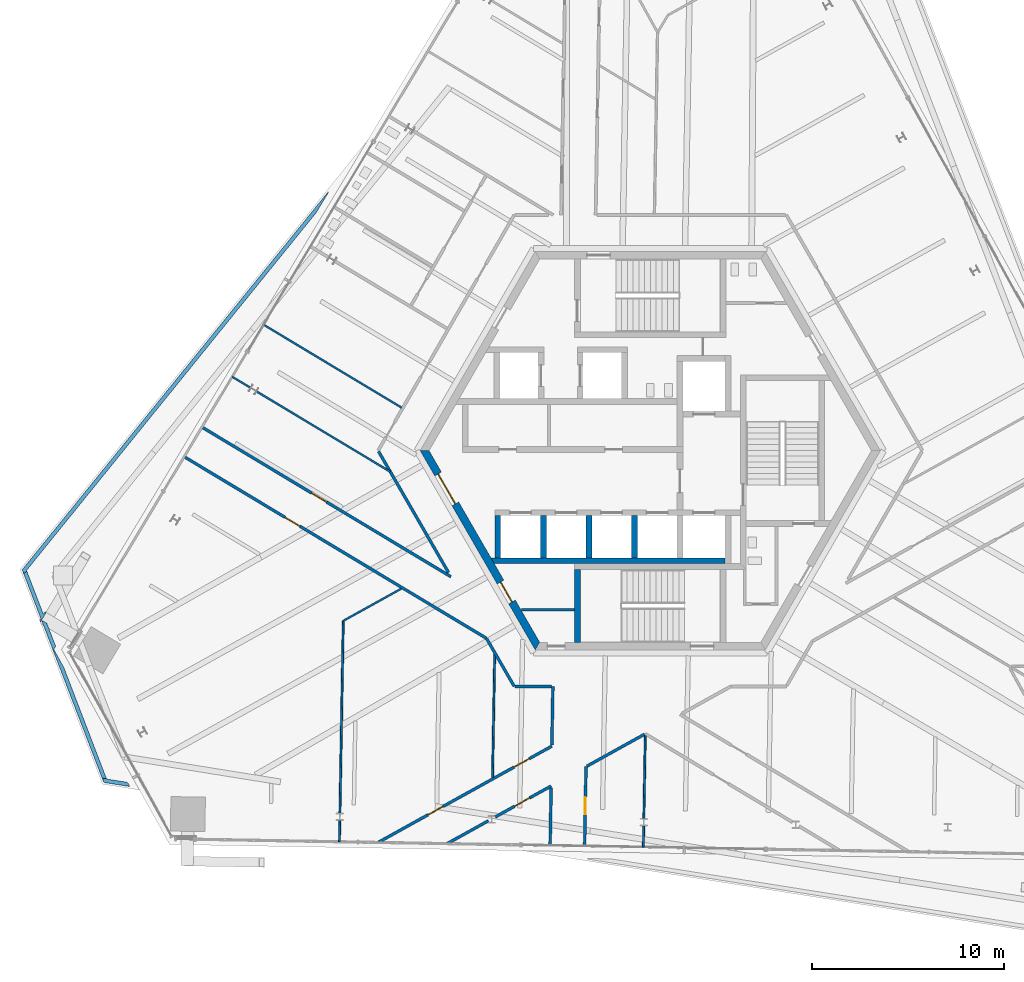
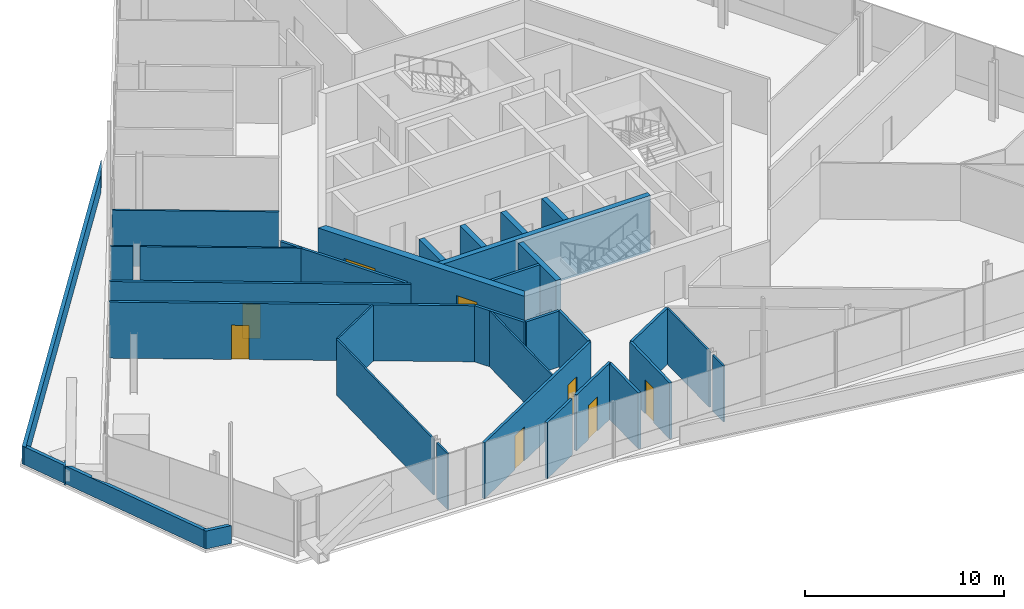
# One storey, part 14 of 22: 33 walls, 8 doors, 8 openings.
"""IFC4 building model written with IfcOpenShell, lengths in metres."""

from ifc_helpers import new_model, si_unit, direction, frame, frame_2d, origin, place, context, subcontext, project, spatial, polyline, rectangle, outline, extrude, source, transform, mapped, material, layer, layer_set, type_object, element, fill, save


model = new_model("IFC4")

# Units and contexts
model_context = context("Model", 3, precision=1e-05, world=origin(), true_north=direction((0.0, 1.0)))
body_context = subcontext(model_context, "Body", "Model", "MODEL_VIEW")
ifc_project = project(units=[si_unit("LENGTHUNIT", "METRE"), si_unit("AREAUNIT", "SQUARE_METRE"), si_unit("VOLUMEUNIT", "CUBIC_METRE"), si_unit("PLANEANGLEUNIT", "RADIAN"), si_unit("MASSUNIT", "GRAM", prefix="KILO")], contexts=[model_context])

# Site, building, storey
site_placement = place(None, origin())
site = spatial("IfcSite", under=ifc_project, at=site_placement, CompositionType="ELEMENT")
building_placement = place(site_placement, origin())
building = spatial("IfcBuilding", under=site, at=building_placement, Name="Triune Harvest Tower", CompositionType="ELEMENT")
storey_placement = place(building_placement, frame((0.0, 0.0, 179.89990234375)))
storey = spatial("IfcBuildingStorey", under=building, at=storey_placement, Name="L46", CompositionType="ELEMENT", Elevation=179.89990234375)

# Walls
ifc_material_1 = material(Name="Gypsum board on steel studs", Category="steel")
ifc_layer_1 = layer(ifc_material_1, 0.14990234375)
ifc_layer_set_1 = layer_set([ifc_layer_1], Name="Gypsum board on steel studs")
wall_type_1 = type_object("IfcWallType", Name="Fire Partition 150 mm", PredefinedType="PARTITIONING", material=ifc_layer_set_1)
wall_1_placement = place(storey_placement, frame((-14.168701171875, -0.043701171875, 0.0), z_axis=(0.0, 0.0, 1.0), x_axis=(0.499999748559, -0.866025548954, 0.0)))
element("IfcWall", 1, at=wall_1_placement, inside=storey, type_object=wall_type_1, Name="Partition L46 004", PredefinedType="PARTITIONING", context=body_context, shape_type="SweptSolid", body=[
    extrude(rectangle(XDim=7.291015625, YDim=0.14990234375, at=frame_2d((3.6455078125, 0.0))), origin(), (0.0, 0.0, 1.0), 3.440185546875),
])
wall_2_placement = place(storey_placement, frame((-8.531982421875, -9.806884765625, 0.0), z_axis=(0.0, 0.0, 1.0), x_axis=(0.499972835562, -0.866041086612, 0.0)))
element("IfcWall", 2, at=wall_2_placement, inside=storey, type_object=wall_type_1, Name="Partition L46 005", PredefinedType="PARTITIONING", context=body_context, shape_type="SweptSolid", body=[
    extrude(rectangle(XDim=2.869873046875, YDim=0.14990234375, at=frame_2d((1.43505859375, 0.0))), origin(), (0.0, 0.0, 1.0), 3.440185546875),
])

# Wall, opening, door
wall_3_placement = place(storey_placement, frame((-24.3115234375, -0.314453125, 0.0), z_axis=(0.0, 0.0, 1.0), x_axis=(0.857169585302, -0.515034272679, 0.0)))
wall_3 = element("IfcWall", 3, at=wall_3_placement, inside=storey, type_object=wall_type_1, Name="Partition L46 007", PredefinedType="PARTITIONING", context=body_context, shape_type="SweptSolid", body=[
    extrude(rectangle(XDim=18.3974609375, YDim=0.14990234375, at=frame_2d((9.19873046875, 0.0))), origin(), (0.0, 0.0, 1.0), 3.440185546875),
])
opening_1_placement = place(wall_3_placement, frame((6.14990234375, 0.0, 0.0)))
opening_1 = element("IfcOpeningElement", 4, at=opening_1_placement, cuts=wall_3, Name="Opening L46-016", PredefinedType="OPENING", context=body_context, shape_type="SweptSolid", body=[
    extrude(rectangle(XDim=0.89990234375, YDim=2.10009765625, at=frame_2d((0.449951171875, 1.050048828125))), frame((0.0, 0.0849609375, 0.0), z_axis=(0.0, -1.0, 0.0), x_axis=(1.0, 0.0, 0.0)), (0.0, 0.0, 1.0), 0.169921875),
])
ifc_material_2 = material(Name="Timber and steel door set", Category="steel")
door_type_1 = type_object("IfcDoorType", Name="Single leaf door FD30 right hand 900 x 2100", OperationType="SINGLE_SWING_RIGHT", PredefinedType="DOOR", material=ifc_material_2)
door_1_placement = place(opening_1_placement, origin())
door_1 = element("IfcDoor", 5, at=door_1_placement, inside=storey, type_object=door_type_1, Name="Door L46-016 Office 46.16", OperationType="SINGLE_SWING_RIGHT", OverallHeight=2.10009765625, OverallWidth=0.89990234375, PredefinedType="DOOR", context=body_context, shape_type="SweptSolid", body=[
    extrude(rectangle(XDim=0.89990234375, YDim=2.10009765625, at=frame_2d((0.449951171875, 1.050048828125))), frame((0.0, 0.02490234375, 0.0), z_axis=(0.0, -1.0, 0.0), x_axis=(1.0, 0.0, 0.0)), (0.0, 0.0, 1.0), 0.050048828125),
])
fill(opening_1, door_1)

wall_4_placement = place(storey_placement, frame((-23.384521484375, 1.228515625, 0.0), z_axis=(0.0, 0.0, 1.0), x_axis=(0.857167144527, -0.515038334829, 0.0)))
wall_4 = element("IfcWall", 6, at=wall_4_placement, inside=storey, type_object=wall_type_1, Name="Partition L46 010", PredefinedType="PARTITIONING", context=body_context, shape_type="SweptSolid", body=[
    extrude(rectangle(XDim=15.150390625, YDim=0.14990234375, at=frame_2d((7.5751953125, 0.0))), origin(), (0.0, 0.0, 1.0), 3.440185546875),
])
opening_2_placement = place(wall_4_placement, frame((6.681396484375, 0.0, 0.0)))
opening_2 = element("IfcOpeningElement", 7, at=opening_2_placement, cuts=wall_4, Name="Opening L46-017", PredefinedType="OPENING", context=body_context, shape_type="SweptSolid", body=[
    extrude(rectangle(XDim=0.89990234375, YDim=2.10009765625, at=frame_2d((0.449951171875, 1.050048828125))), frame((0.0, 0.0849609375, 0.0), z_axis=(0.0, -1.0, 0.0), x_axis=(1.0, 0.0, 0.0)), (0.0, 0.0, 1.0), 0.169921875),
])
ifc_material_3 = material(Name="Timber and steel door set", Category="steel")
door_type_2 = type_object("IfcDoorType", Name="Single leaf door FD30 left hand 900 x 2100", OperationType="SINGLE_SWING_LEFT", PredefinedType="DOOR", material=ifc_material_3)
door_2_placement = place(opening_2_placement, origin())
door_2 = element("IfcDoor", 8, at=door_2_placement, inside=storey, type_object=door_type_2, Name="Door L46-017 Office 46.17", OperationType="SINGLE_SWING_LEFT", OverallHeight=2.10009765625, OverallWidth=0.89990234375, PredefinedType="DOOR", context=body_context, shape_type="SweptSolid", body=[
    extrude(rectangle(XDim=0.89990234375, YDim=2.10009765625, at=frame_2d((0.449951171875, 1.050048828125))), frame((0.0, 0.02490234375, 0.0), z_axis=(0.0, -1.0, 0.0), x_axis=(1.0, 0.0, 0.0)), (0.0, 0.0, 1.0), 0.050048828125),
])
fill(opening_2, door_2)

# Walls
wall_5_placement = place(storey_placement, frame((-7.047119140625, -12.292236328125, 0.0), z_axis=(0.0, 0.0, 1.0), x_axis=(1.0, 0.0, 0.0)))
element("IfcWall", 9, at=wall_5_placement, inside=storey, type_object=wall_type_1, Name="Partition L46 029", PredefinedType="PARTITIONING", context=body_context, shape_type="SweptSolid", body=[
    extrude(rectangle(XDim=1.908203125, YDim=0.14990234375, at=frame_2d((0.9541015625, 0.0))), origin(), (0.0, 0.0, 1.0), 3.440185546875),
])
wall_6_placement = place(storey_placement, frame((-10.59130859375, -20.495361328125, 0.0), z_axis=(0.0, 0.0, 1.0), x_axis=(0.874634617379, 0.484782720486, 0.0)))
element("IfcWall", 10, at=wall_6_placement, inside=storey, type_object=wall_type_1, Name="Partition L46 034", PredefinedType="PARTITIONING", context=body_context, shape_type="SweptSolid", body=[
    extrude(rectangle(XDim=2.45849609375, YDim=0.14990234375, at=frame_2d((1.229248046875, 0.0))), origin(), (0.0, 0.0, 1.0), 3.440185546875),
])

# Wall, opening, door
wall_7_placement = place(storey_placement, frame((-8.08642578125, -19.10693359375, 0.0), z_axis=(0.0, 0.0, 1.0), x_axis=(0.874629958331, 0.484791126146, 0.0)))
wall_7 = element("IfcWall", 11, at=wall_7_placement, inside=storey, type_object=wall_type_1, Name="Partition L46 035", PredefinedType="PARTITIONING", context=body_context, shape_type="SweptSolid", body=[
    extrude(rectangle(XDim=3.334716796875, YDim=0.14990234375, at=frame_2d((1.66748046875, 0.0))), origin(), (0.0, 0.0, 1.0), 3.440185546875),
])
opening_3_placement = place(wall_7_placement, frame((1.1474609375, 0.0, 0.0)))
opening_3 = element("IfcOpeningElement", 12, at=opening_3_placement, cuts=wall_7, Name="Opening L46-019", PredefinedType="OPENING", context=body_context, shape_type="SweptSolid", body=[
    extrude(rectangle(XDim=0.89990234375, YDim=2.10009765625, at=frame_2d((0.449951171875, 1.050048828125))), frame((0.0, 0.0849609375, 0.0), z_axis=(0.0, -1.0, 0.0), x_axis=(1.0, 0.0, 0.0)), (0.0, 0.0, 1.0), 0.169921875),
])
door_3_placement = place(opening_3_placement, origin())
door_3 = element("IfcDoor", 13, at=door_3_placement, inside=storey, type_object=door_type_1, Name="Door L46-019 Office 46.19", OperationType="SINGLE_SWING_RIGHT", OverallHeight=2.10009765625, OverallWidth=0.89990234375, PredefinedType="DOOR", context=body_context, shape_type="SweptSolid", body=[
    extrude(rectangle(XDim=0.89990234375, YDim=2.10009765625, at=frame_2d((0.449951171875, 1.050048828125))), frame((0.0, 0.02490234375, 0.0), z_axis=(0.0, -1.0, 0.0), x_axis=(1.0, 0.0, 0.0)), (0.0, 0.0, 1.0), 0.050048828125),
])
fill(opening_3, door_3)

# Wall
wall_8_placement = place(storey_placement, frame((-3.30810546875, -16.458251953125, 0.0), z_axis=(0.0, 0.0, 1.0), x_axis=(0.874627847165, 0.48479493496, 0.0)))
element("IfcWall", 14, at=wall_8_placement, inside=storey, type_object=wall_type_1, Name="Partition L46 036", PredefinedType="PARTITIONING", context=body_context, shape_type="SweptSolid", body=[
    extrude(rectangle(XDim=3.447509765625, YDim=0.14990234375, at=frame_2d((1.7236328125, 0.0))), origin(), (0.0, 0.0, 1.0), 3.440185546875),
])

# Wall, openings, doors
wall_9_placement = place(storey_placement, frame((-14.190673828125, -20.4326171875, 0.0), z_axis=(0.0, 0.0, 1.0), x_axis=(0.874622821038, 0.484804002583, 0.0)))
wall_9 = element("IfcWall", 15, at=wall_9_placement, inside=storey, type_object=wall_type_1, Name="Partition L46 039", PredefinedType="PARTITIONING", context=body_context, shape_type="SweptSolid", body=[
    extrude(rectangle(XDim=10.355712890625, YDim=0.14990234375, at=frame_2d((5.177734375, 0.0))), origin(), (0.0, 0.0, 1.0), 3.440185546875),
])
opening_4_placement = place(wall_9_placement, frame((2.968017578125, 0.0, 0.0)))
opening_4 = element("IfcOpeningElement", 16, at=opening_4_placement, cuts=wall_9, Name="Opening L46-018", PredefinedType="OPENING", context=body_context, shape_type="SweptSolid", body=[
    extrude(rectangle(XDim=0.89990234375, YDim=2.10009765625, at=frame_2d((0.449951171875, 1.050048828125))), frame((0.0, 0.0849609375, 0.0), z_axis=(0.0, -1.0, 0.0), x_axis=(1.0, 0.0, 0.0)), (0.0, 0.0, 1.0), 0.169921875),
])
opening_5_placement = place(wall_9_placement, frame((8.105712890625, 0.0, 0.0)))
opening_5 = element("IfcOpeningElement", 17, at=opening_5_placement, cuts=wall_9, Name="Opening L46-020", PredefinedType="OPENING", context=body_context, shape_type="SweptSolid", body=[
    extrude(rectangle(XDim=0.89990234375, YDim=2.10009765625, at=frame_2d((0.449951171875, 1.050048828125))), frame((0.0, 0.0849609375, 0.0), z_axis=(0.0, -1.0, 0.0), x_axis=(1.0, 0.0, 0.0)), (0.0, 0.0, 1.0), 0.169921875),
])
door_4_placement = place(opening_4_placement, origin())
door_4 = element("IfcDoor", 18, at=door_4_placement, inside=storey, type_object=door_type_2, Name="Door L46-018 Open Office 46.18", OperationType="SINGLE_SWING_LEFT", OverallHeight=2.10009765625, OverallWidth=0.89990234375, PredefinedType="DOOR", context=body_context, shape_type="SweptSolid", body=[
    extrude(rectangle(XDim=0.89990234375, YDim=2.10009765625, at=frame_2d((0.449951171875, 1.050048828125))), frame((0.0, 0.02490234375, 0.0), z_axis=(0.0, -1.0, 0.0), x_axis=(1.0, 0.0, 0.0)), (0.0, 0.0, 1.0), 0.050048828125),
])
fill(opening_4, door_4)
door_5_placement = place(opening_5_placement, origin())
door_5 = element("IfcDoor", 19, at=door_5_placement, inside=storey, type_object=door_type_1, Name="Door L46-020 Office 46.20", OperationType="SINGLE_SWING_RIGHT", OverallHeight=2.10009765625, OverallWidth=0.89990234375, PredefinedType="DOOR", context=body_context, shape_type="SweptSolid", body=[
    extrude(rectangle(XDim=0.89990234375, YDim=2.10009765625, at=frame_2d((0.449951171875, 1.050048828125))), frame((0.0, 0.02490234375, 0.0), z_axis=(0.0, -1.0, 0.0), x_axis=(1.0, 0.0, 0.0)), (0.0, 0.0, 1.0), 0.050048828125),
])
fill(opening_5, door_5)

# Wall, opening, door
wall_10_placement = place(storey_placement, frame((-3.42431640625, -20.62060546875, 0.0), z_axis=(0.0, 0.0, 1.0), x_axis=(0.01751943465, 0.999846522927, 0.0)))
wall_10 = element("IfcWall", 20, at=wall_10_placement, inside=storey, type_object=wall_type_1, Name="Partition L46 053", PredefinedType="PARTITIONING", context=body_context, shape_type="SweptSolid", body=[
    extrude(rectangle(XDim=4.138916015625, YDim=0.14990234375, at=frame_2d((2.0693359375, 0.0))), origin(), (0.0, 0.0, 1.0), 3.440185546875),
])
opening_6_placement = place(wall_10_placement, frame((1.650146484375, 0.0, 0.0)))
opening_6 = element("IfcOpeningElement", 21, at=opening_6_placement, cuts=wall_10, Name="Opening L46-021", PredefinedType="OPENING", context=body_context, shape_type="SweptSolid", body=[
    extrude(rectangle(XDim=0.89990234375, YDim=2.10009765625, at=frame_2d((0.449951171875, 1.050048828125))), frame((0.0, 0.0849609375, 0.0), z_axis=(0.0, -1.0, 0.0), x_axis=(1.0, 0.0, 0.0)), (0.0, 0.0, 1.0), 0.169921875),
])
door_6_placement = place(opening_6_placement, origin())
door_6 = element("IfcDoor", 22, at=door_6_placement, inside=storey, type_object=door_type_2, Name="Door L46-021 Meeting Room 46.21", OperationType="SINGLE_SWING_LEFT", OverallHeight=2.10009765625, OverallWidth=0.89990234375, PredefinedType="DOOR", context=body_context, shape_type="SweptSolid", body=[
    extrude(rectangle(XDim=0.89990234375, YDim=2.10009765625, at=frame_2d((0.449951171875, 1.050048828125))), frame((0.0, 0.02490234375, 0.0), z_axis=(0.0, -1.0, 0.0), x_axis=(1.0, 0.0, 0.0)), (0.0, 0.0, 1.0), 0.050048828125),
])
fill(opening_6, door_6)

# Walls
wall_11_placement = place(storey_placement, frame((-5.223876953125, -20.589111328125, 0.0), z_axis=(0.0, 0.0, 1.0), x_axis=(0.017476706357, 0.999847270704, 0.0)))
element("IfcWall", 23, at=wall_11_placement, inside=storey, type_object=wall_type_1, Name="Partition L46 055", PredefinedType="PARTITIONING", context=body_context, shape_type="SweptSolid", body=[
    extrude(rectangle(XDim=2.989501953125, YDim=0.14990234375, at=frame_2d((1.49462890625, 0.0))), origin(), (0.0, 0.0, 1.0), 3.440185546875),
])
wall_12_placement = place(storey_placement, frame((-5.132568359375, -15.362060546875, 0.0), z_axis=(0.0, 0.0, 1.0), x_axis=(0.017414250909, 0.999848360435, 0.0)))
element("IfcWall", 24, at=wall_12_placement, inside=storey, type_object=wall_type_1, Name="Partition L46 056", PredefinedType="PARTITIONING", context=body_context, shape_type="SweptSolid", body=[
    extrude(rectangle(XDim=3.0703125, YDim=0.14990234375, at=frame_2d((1.53515625, 0.0))), origin(), (0.0, 0.0, 1.0), 3.440185546875),
])
ifc_material_4 = material(Name="Concrete 40 MPa", Category="concrete")
ifc_layer_2 = layer(ifc_material_4, 0.199951171875)
ifc_layer_set_2 = layer_set([ifc_layer_2], Name="Concrete 40 MPa")
wall_type_2 = type_object("IfcWallType", Name="PA-1 parapet 200", PredefinedType="PARAPET", material=ifc_layer_set_2)
wall_13_placement = place(storey_placement, origin())
element("IfcWall", 25, at=wall_13_placement, inside=storey, type_object=wall_type_2, Name="Parapet wedge L45 1.1", PredefinedType="PARAPET", context=body_context, shape_type="SweptSolid", body=[
    extrude(outline(polyline([(-28.36328125, -17.104248046875), (-28.35498046875, -17.125732421875), (-27.267578125, -17.298095703125), (-27.144775390625, -17.52001953125), (-28.500244140625, -17.305419921875), (-28.541748046875, -17.197509765625), (-28.52294921875, -17.0791015625), (-28.36328125, -17.104248046875)])), origin(), (0.0, 0.0, 1.0), 1.10009765625),
])
wall_14_placement = place(storey_placement, origin())
element("IfcWall", 26, at=wall_14_placement, inside=storey, type_object=wall_type_2, Name="Parapet wedge L45 1.2", PredefinedType="PARAPET", context=body_context, shape_type="SweptSolid", body=[
    extrude(outline(polyline([(-16.80322265625, 13.493896484375), (-16.781982421875, 13.47900390625), (-17.42578125, 12.407470703125), (-32.531005859375, -6.24609375), (-32.52294921875, -6.267578125), (-32.62451171875, -6.393310546875), (-32.718017578125, -6.31787109375), (-32.75927734375, -6.2099609375), (-16.80322265625, 13.493896484375)])), origin(), (0.0, 0.0, 1.0), 1.10009765625),
])
wall_15_placement = place(storey_placement, origin())
element("IfcWall", 27, at=wall_15_placement, inside=storey, type_object=wall_type_2, Name="Parapet wedge L45 1.3", PredefinedType="PARAPET", context=body_context, shape_type="SweptSolid", body=[
    extrude(outline(polyline([(-32.718017578125, -6.31787109375), (-32.62451171875, -6.393310546875), (-32.52294921875, -6.267578125), (-31.6533203125, -8.532958984375), (-31.57080078125, -8.3955078125), (-31.506103515625, -8.4345703125), (-31.815185546875, -8.948486328125), (-31.849609375, -8.859130859375), (-31.7841796875, -8.75048828125), (-32.718017578125, -6.31787109375)])), origin(), (0.0, 0.0, 1.0), 1.10009765625),
])
wall_16_placement = place(storey_placement, origin())
element("IfcWall", 28, at=wall_16_placement, inside=storey, type_object=wall_type_2, Name="Parapet wedge L45 1.4", PredefinedType="PARAPET", context=body_context, shape_type="SweptSolid", body=[
    extrude(outline(polyline([(-31.011962890625, -10.203857421875), (-31.10986328125, -10.36669921875), (-30.58837890625, -11.307373046875), (-28.36328125, -17.104248046875), (-28.52294921875, -17.0791015625), (-28.541748046875, -17.197509765625), (-31.752197265625, -8.833251953125), (-31.473876953125, -9.00048828125), (-31.011962890625, -10.203857421875)])), origin(), (0.0, 0.0, 1.0), 1.10009765625),
])
ifc_material_5 = material(Name="Gypsum board on steel studs", Category="steel")
ifc_layer_3 = layer(ifc_material_5, 0.10009765625)
ifc_layer_set_3 = layer_set([ifc_layer_3], Name="Gypsum board on steel studs")
wall_type_3 = type_object("IfcWallType", Name="Partition 100 mm", PredefinedType="PARTITIONING", material=ifc_layer_set_3)
wall_17_placement = place(storey_placement, frame((-20.543212890625, 3.095458984375, 0.0), z_axis=(0.0, 0.0, 1.0), x_axis=(0.857172920036, -0.515028722653, 0.0)))
element("IfcWall", 29, at=wall_17_placement, inside=storey, type_object=wall_type_3, Name="Partition L46 013", PredefinedType="PARTITIONING", context=body_context, shape_type="SweptSolid", body=[
    extrude(rectangle(XDim=8.149658203125, YDim=0.10009765625, at=frame_2d((4.07470703125, 0.0))), origin(), (0.0, 0.0, 1.0), 3.440185546875),
])
wall_18_placement = place(storey_placement, frame((-20.17333984375, 6.572509765625, 0.0), z_axis=(0.0, 0.0, 1.0), x_axis=(0.857169858047, -0.515033818749, 0.0)))
element("IfcWall", 30, at=wall_18_placement, inside=storey, type_object=wall_type_3, Name="Partition L46 014", PredefinedType="PARTITIONING", context=body_context, shape_type="SweptSolid", body=[
    extrude(rectangle(XDim=8.406005859375, YDim=0.10009765625, at=frame_2d((4.203125, 0.0))), origin(), (0.0, 0.0, 1.0), 3.440185546875),
])
wall_19_placement = place(storey_placement, frame((-15.994384765625, -8.86572265625, 0.0), z_axis=(0.0, 0.0, 1.0), x_axis=(0.874630605505, 0.484789958553, 0.0)))
element("IfcWall", 31, at=wall_19_placement, inside=storey, type_object=wall_type_3, Name="Partition L46 043", PredefinedType="PARTITIONING", context=body_context, shape_type="SweptSolid", body=[
    extrude(rectangle(XDim=3.427490234375, YDim=0.10009765625, at=frame_2d((1.7138671875, 0.0))), origin(), (0.0, 0.0, 1.0), 3.440185546875),
])
wall_20_placement = place(storey_placement, frame((-8.225830078125, -17.037109375, 0.0), z_axis=(0.0, 0.0, 1.0), x_axis=(0.017453606446, 0.999847674209, 0.0)))
element("IfcWall", 32, at=wall_20_placement, inside=storey, type_object=wall_type_3, Name="Partition L46 058", PredefinedType="PARTITIONING", context=body_context, shape_type="SweptSolid", body=[
    extrude(rectangle(XDim=6.50439453125, YDim=0.10009765625, at=frame_2d((3.252197265625, 0.0))), origin(), (0.0, 0.0, 1.0), 3.440185546875),
])

# Wall, openings, doors
ifc_material_6 = material(Name="Concrete 70 MPa", Category="concrete")
ifc_layer_4 = layer(ifc_material_6, 0.39990234375)
ifc_layer_set_4 = layer_set([ifc_layer_4], Name="Concrete 70 MPa")
wall_type_4 = type_object("IfcWallType", Name="Core wall 400", PredefinedType="SHEAR", material=ifc_layer_set_4)
shared_shape_1 = source(origin(), body_context, "Body", "SweptSolid", [
    extrude(outline(polyline([(-0.115478515625, -0.199951171875), (11.884521484375, -0.199951171875), (11.653564453125, 0.199951171875), (0.115478515625, 0.199951171875), (-0.115478515625, -0.199951171875)])), origin(), (0.0, 0.0, 1.0), 3.440185546875),
])
wall_21_placement = place(storey_placement, frame((-11.76904296875, 0.0, 0.0), z_axis=(0.0, 0.0, 1.0), x_axis=(0.499996592174, -0.866027371285, 0.0)))
wall_21 = element("IfcWall", 33, at=wall_21_placement, inside=storey, type_object=wall_type_4, Name="Hexagon 3 wall", PredefinedType="SHEAR", context=body_context, shape_type="MappedRepresentation", body=[
    mapped(shared_shape_1, transform((0.0, 0.0, 0.0), scale=1.0)),
])
opening_7_placement = place(wall_21_placement, frame((1.404541015625, 0.0, 0.0)))
opening_7 = element("IfcOpeningElement", 34, at=opening_7_placement, cuts=wall_21, Name="Opening CD-LS", PredefinedType="OPENING", context=body_context, shape_type="SweptSolid", body=[
    extrude(rectangle(XDim=1.800048828125, YDim=2.10009765625, at=frame_2d((0.89990234375, 1.050048828125))), frame((0.0, 0.2099609375, 0.0), z_axis=(0.0, -1.0, 0.0), x_axis=(1.0, 0.0, 0.0)), (0.0, 0.0, 1.0), 0.419921875),
])
opening_8_placement = place(wall_21_placement, frame((7.91455078125, 0.0, 0.0)))
opening_8 = element("IfcOpeningElement", 35, at=opening_8_placement, cuts=wall_21, Name="Opening CD-SWP", PredefinedType="OPENING", context=body_context, shape_type="SweptSolid", body=[
    extrude(rectangle(XDim=1.199951171875, YDim=2.10009765625, at=frame_2d((0.60009765625, 1.050048828125))), frame((0.0, 0.2099609375, 0.0), z_axis=(0.0, -1.0, 0.0), x_axis=(1.0, 0.0, 0.0)), (0.0, 0.0, 1.0), 0.419921875),
])
ifc_material_7 = material(Name="Steel S235", Category="steel")
door_type_3 = type_object("IfcDoorType", Name="Lobby door 1800 FD120", OperationType="DOUBLE_DOOR_DOUBLE_SWING", PredefinedType="DOOR", material=ifc_material_7)
door_7_placement = place(opening_7_placement, frame((1.800048828125, 0.0, 0.0), z_axis=(0.0, 0.0, 1.0), x_axis=(-1.0, 0.0, 0.0)))
door_7 = element("IfcDoor", 36, at=door_7_placement, inside=storey, type_object=door_type_3, Name="Door CD-LS", OperationType="DOUBLE_DOOR_DOUBLE_SWING", OverallHeight=2.10009765625, OverallWidth=1.800048828125, PredefinedType="DOOR", context=body_context, shape_type="SweptSolid", body=[
    extrude(rectangle(XDim=1.800048828125, YDim=2.10009765625, at=frame_2d((0.89990234375, 1.050048828125))), frame((0.0, 0.02490234375, 0.0), z_axis=(0.0, -1.0, 0.0), x_axis=(1.0, 0.0, 0.0)), (0.0, 0.0, 1.0), 0.050048828125),
])
fill(opening_7, door_7)
ifc_material_8 = material(Name="Steel S235", Category="steel")
door_type_4 = type_object("IfcDoorType", Name="Service door 1200 FD120", OperationType="SINGLE_SWING_LEFT", PredefinedType="DOOR", material=ifc_material_8)
door_8_placement = place(opening_8_placement, frame((1.199951171875, 0.0, 0.0), z_axis=(0.0, 0.0, 1.0), x_axis=(-1.0, 0.0, 0.0)))
door_8 = element("IfcDoor", 37, at=door_8_placement, inside=storey, type_object=door_type_4, Name="Door CD-SWP", OperationType="SINGLE_SWING_RIGHT", OverallHeight=2.10009765625, OverallWidth=1.199951171875, PredefinedType="DOOR", context=body_context, shape_type="SweptSolid", body=[
    extrude(rectangle(XDim=1.199951171875, YDim=2.10009765625, at=frame_2d((0.60009765625, 1.050048828125))), frame((0.0, 0.02490234375, 0.0), z_axis=(0.0, -1.0, 0.0), x_axis=(1.0, 0.0, 0.0)), (0.0, 0.0, 1.0), 0.050048828125),
])
fill(opening_8, door_8)

# Walls
ifc_material_9 = material(Name="Concrete 70 MPa", Category="concrete")
ifc_layer_5 = layer(ifc_material_9, 0.300048828125)
ifc_layer_set_5 = layer_set([ifc_layer_5], Name="Concrete 70 MPa")
wall_type_5 = type_object("IfcWallType", Name="Core wall 300", PredefinedType="SHEAR", material=ifc_layer_set_5)
shared_shape_2 = source(origin(), body_context, "Body", "SweptSolid", [
    extrude(outline(polyline([(12.0, -0.14990234375), (-0.039794921875, -0.14990234375), (-0.212890625, 0.14990234375), (12.0, 0.14990234375), (12.0, -0.14990234375)])), origin(), (0.0, 0.0, 1.0), 3.440185546875),
])
wall_22_placement = place(storey_placement, frame((-8.10009765625, -5.739990234375, 0.0), z_axis=(0.0, 0.0, 1.0), x_axis=(1.0, 0.0, 0.0)))
element("IfcWall", 38, at=wall_22_placement, inside=storey, type_object=wall_type_5, Name="South back wall", PredefinedType="SHEAR", context=body_context, shape_type="MappedRepresentation", body=[
    mapped(shared_shape_2, transform((0.0, 0.0, 0.0), scale=1.0)),
])
shared_shape_3 = source(origin(), body_context, "Body", "SweptSolid", [
    extrude(rectangle(XDim=2.2001953125, YDim=0.300048828125, at=frame_2d((1.10009765625, 0.0))), origin(), (0.0, 0.0, 1.0), 3.440185546875),
])
for number, where, z_axis, x_axis, name in (
    (39, (-7.949951171875, -5.590087890625, 0.0), (0.0, 0.0, 1.0), (0.0, 1.0, 0.0), "South end west wall"),
    (40, (-5.574951171875, -5.590087890625, 0.0), (0.0, 0.0, 1.0), (0.0, 1.0, 0.0), "South cross 1 wall"),
    (41, (-3.199951171875, -5.590087890625, 0.0), (0.0, 0.0, 1.0), (0.0, 1.0, 0.0), "South cross 2 wall"),
    (42, (-0.824951171875, -5.590087890625, 0.0), (0.0, 0.0, 1.0), (0.0, 1.0, 0.0), "South cross 3 wall"),
):
    element("IfcWall", number, at=place(storey_placement, frame(where, z_axis=z_axis, x_axis=x_axis)), inside=storey, type_object=wall_type_5, Name=name, PredefinedType="SHEAR", context=body_context, shape_type="MappedRepresentation", body=[
        mapped(shared_shape_3, transform((0.0, 0.0, 0.0), scale=1.0)),
    ])
shared_shape_4 = source(origin(), body_context, "Body", "SweptSolid", [
    extrude(outline(polyline([(3.800048828125, -0.14990234375), (-0.00439453125, -0.14990234375), (-0.00439453125, 0.14990234375), (3.800048828125, 0.14990234375), (3.800048828125, -0.14990234375)])), origin(), (0.0, 0.0, 1.0), 3.440185546875),
])
wall_23_placement = place(storey_placement, frame((-3.800048828125, -9.989990234375, 0.0), z_axis=(0.0, 0.0, 1.0), x_axis=(0.0, 1.0, 0.0)))
element("IfcWall", 43, at=wall_23_placement, inside=storey, type_object=wall_type_5, Name="Stair s west wall", PredefinedType="SHEAR", context=body_context, shape_type="MappedRepresentation", body=[
    mapped(shared_shape_4, transform((0.0, 0.0, 0.0), scale=1.0)),
])
ifc_material_10 = material(Name="Concrete masonry unit", Category="masonry")
ifc_layer_6 = layer(ifc_material_10, 0.14990234375)
ifc_layer_set_6 = layer_set([ifc_layer_6], Name="Concrete masonry unit")
wall_type_6 = type_object("IfcWallType", Name="Block partition 150", PredefinedType="PARTITIONING", material=ifc_layer_set_6)
shared_shape_5 = source(origin(), body_context, "Body", "SweptSolid", [
    extrude(rectangle(XDim=2.777099609375, YDim=0.14990234375, at=frame_2d((1.388671875, 0.0))), origin(), (0.0, 0.0, 1.0), 3.440185546875),
])
wall_24_placement = place(storey_placement, frame((-6.72705078125, -8.300048828125, 0.0), z_axis=(0.0, 0.0, 1.0), x_axis=(1.0, 0.0, 0.0)))
element("IfcWall", 44, at=wall_24_placement, inside=storey, type_object=wall_type_6, Name="Sw part wall", PredefinedType="PARTITIONING", context=body_context, shape_type="MappedRepresentation", body=[
    mapped(shared_shape_5, transform((0.0, 0.0, 0.0), scale=1.0)),
])
shared_shape_6 = source(origin(), body_context, "Body", "SweptSolid", [
    extrude(rectangle(XDim=1.13037109375, YDim=0.10009765625, at=frame_2d((0.565185546875, 0.0))), origin(), (0.0, 0.0, 1.0), 3.440185546875),
])
for number, where, z_axis, x_axis, name in (
    (45, (-21.806396484375, 3.8544921875, 0.0), (0.0, 0.0, 1.0), (0.857149738065, -0.515067302919, 0.0), "Partition L46 012"),
    (46, (-0.360595703125, -20.673828125, 0.0), (0.0, 0.0, 1.0), (0.017495701451, 0.999846938501, 0.0), "Partition L46 050"),
):
    element("IfcWall", number, at=place(storey_placement, frame(where, z_axis=z_axis, x_axis=x_axis)), inside=storey, type_object=wall_type_3, Name=name, PredefinedType="PARTITIONING", context=body_context, shape_type="MappedRepresentation", body=[
        mapped(shared_shape_6, transform((0.0, 0.0, 0.0), scale=1.0)),
    ])
shared_shape_7 = source(origin(), body_context, "Body", "SweptSolid", [
    extrude(rectangle(XDim=1.130615234375, YDim=0.10009765625, at=frame_2d((0.5654296875, 0.0))), origin(), (0.0, 0.0, 1.0), 3.440185546875),
])
wall_25_placement = place(storey_placement, frame((-16.212890625, -20.397216796875, 0.0), z_axis=(0.0, 0.0, 1.0), x_axis=(0.017491923839, 0.999847004596, 0.0)))
element("IfcWall", 47, at=wall_25_placement, inside=storey, type_object=wall_type_3, Name="Partition L46 059", PredefinedType="PARTITIONING", context=body_context, shape_type="MappedRepresentation", body=[
    mapped(shared_shape_7, transform((0.0, 0.0, 0.0), scale=1.0)),
])
shared_shape_8 = source(origin(), body_context, "Body", "SweptSolid", [
    extrude(rectangle(XDim=4.34375, YDim=0.10009765625, at=frame_2d((2.171875, 0.0))), origin(), (0.0, 0.0, 1.0), 3.440185546875),
])
wall_26_placement = place(storey_placement, frame((-0.3349609375, -19.200439453125, 0.0), z_axis=(0.0, 0.0, 1.0), x_axis=(0.01742385406, 0.999848193132, 0.0)))
element("IfcWall", 48, at=wall_26_placement, inside=storey, type_object=wall_type_3, Name="Partition L46 051", PredefinedType="PARTITIONING", context=body_context, shape_type="MappedRepresentation", body=[
    mapped(shared_shape_8, transform((0.0, 0.0, 0.0), scale=1.0)),
])
shared_shape_9 = source(origin(), body_context, "Body", "SweptSolid", [
    extrude(rectangle(XDim=10.049560546875, YDim=0.10009765625, at=frame_2d((5.02490234375, 0.0))), origin(), (0.0, 0.0, 1.0), 3.440185546875),
])
wall_27_placement = place(storey_placement, frame((-16.187255859375, -18.923583984375, 0.0), z_axis=(0.0, 0.0, 1.0), x_axis=(0.017467024061, 0.999847439898, 0.0)))
element("IfcWall", 49, at=wall_27_placement, inside=storey, type_object=wall_type_3, Name="Partition L46 060", PredefinedType="PARTITIONING", context=body_context, shape_type="MappedRepresentation", body=[
    mapped(shared_shape_9, transform((0.0, 0.0, 0.0), scale=1.0)),
])

save(model, "model.ifc")
